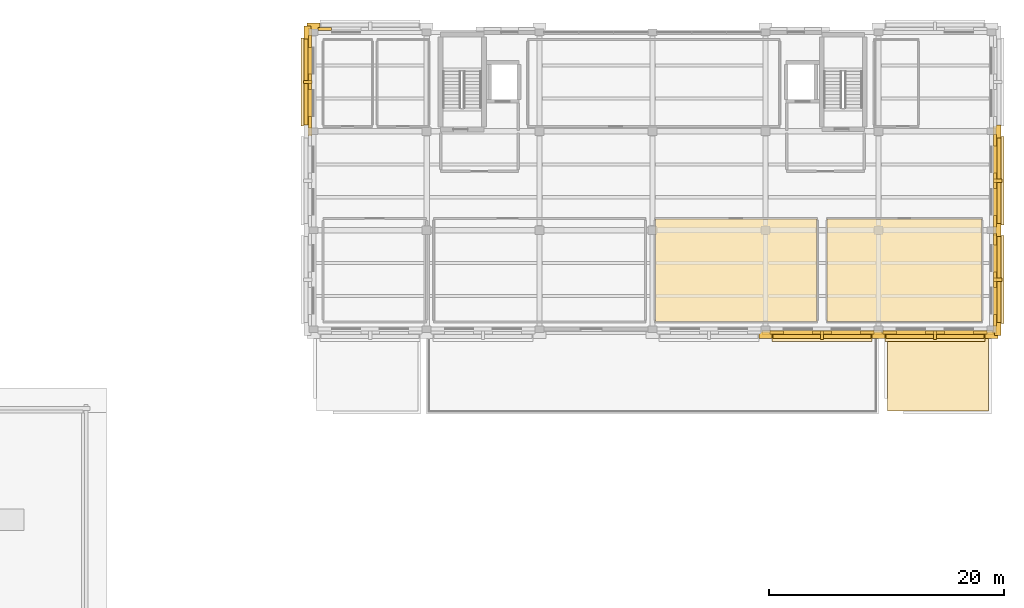
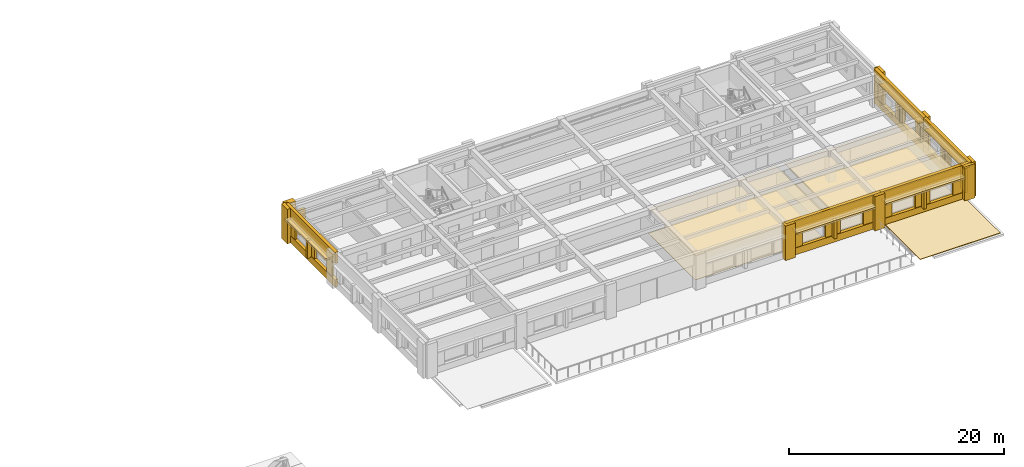
# One storey, part 8 of 10: 49 coverings, 5 shading devices.
"""IFC4 building model written with IfcOpenShell, lengths in metres."""

from ifc_helpers import new_model, si_unit, direction, frame, origin, origin_2d, place, context, subcontext, project, spatial, polyline, rectangle, outline, extrude, material, layer, layer_set, type_object, element, save


model = new_model("IFC4")

# Units and contexts
model_context = context("Model", 3, precision=1e-05, world=origin(), true_north=direction((0.0, 1.0)))
body_context = subcontext(model_context, "Body", "Model", "MODEL_VIEW")
ifc_project = project(units=[si_unit("LENGTHUNIT", "METRE"), si_unit("AREAUNIT", "SQUARE_METRE"), si_unit("VOLUMEUNIT", "CUBIC_METRE"), si_unit("PLANEANGLEUNIT", "RADIAN"), si_unit("MASSUNIT", "GRAM", prefix="KILO")], contexts=[model_context])

# Site, building, storey
site_placement = place(None, origin())
site = spatial("IfcSite", under=ifc_project, at=site_placement, CompositionType="ELEMENT")
building_placement = place(site_placement, origin())
building = spatial("IfcBuilding", under=site, at=building_placement, Name="Bempovik Park Faculty of Sciences", CompositionType="ELEMENT")
storey_placement = place(building_placement, frame((0.0, 0.0, 26.699951171875)))
storey = spatial("IfcBuildingStorey", under=building, at=storey_placement, Name="L06", CompositionType="ELEMENT", Elevation=26.699951171875)

# Coverings
ifc_material_1 = material(Name="Acoustic mineral ceiling tile")
ifc_layer_1 = layer(ifc_material_1, 0.0400390625)
ifc_layer_set_1 = layer_set([ifc_layer_1], Name="Acoustic mineral ceiling tile")
covering_type_1 = type_object("IfcCoveringType", Name="CE-01 Acoustic Ceiling 40mm", PredefinedType="CEILING", material=ifc_layer_set_1)
covering_1_placement = place(storey_placement, frame((0.0, 0.0, 2.81005859375)))
element("IfcCovering", 1, at=covering_1_placement, inside=storey, type_object=covering_type_1, Name="L06 Graduate Physics Seminar Room Acoustic Ceiling", PredefinedType="CEILING", context=body_context, shape_type="SweptSolid", body=[
    extrude(outline(polyline([(89.030029296875, 94.830078125), (102.77001953125, 94.830078125), (102.77001953125, 103.570068359375), (89.030029296875, 103.570068359375), (89.030029296875, 94.830078125)])), origin(), (0.0, 0.0, 1.0), 0.0400390625),
])
covering_2_placement = place(storey_placement, frame((0.0, 0.0, 2.81005859375)))
element("IfcCovering", 2, at=covering_2_placement, inside=storey, type_object=covering_type_1, Name="L06 Senior Research Fellow Offices Acoustic Ceiling", PredefinedType="CEILING", context=body_context, shape_type="SweptSolid", body=[
    extrude(outline(polyline([(103.6298828125, 94.830078125), (116.77001953125, 94.830078125), (116.77001953125, 103.570068359375), (103.6298828125, 103.570068359375), (103.6298828125, 94.830078125)])), origin(), (0.0, 0.0, 1.0), 0.0400390625),
])
ifc_material_2 = material(Name="Precast concrete C40/50", Category="concrete")
ifc_layer_2 = layer(ifc_material_2, 0.179931640625)
ifc_layer_set_2 = layer_set([ifc_layer_2], Name="Precast concrete C40/50")
covering_type_2 = type_object("IfcCoveringType", Name="CL-02 Classical Cornice Band 180mm", PredefinedType="CLADDING", material=ifc_layer_set_2)
for number, where, z_axis, x_axis, name in (
    (3, (118.199951171875, 98.39990234375, 2.66015625), (0.0, 0.0, 1.0), (1.0, 0.0, 0.0), "L06 Classical Stone Solar Window Hood EW-L06-10347"),
    (4, (118.199951171875, 106.800048828125, 2.66015625), (0.0, 0.0, 1.0), (1.0, 0.0, 0.0), "L06 Classical Stone Solar Window Hood EW-L06-10360"),
    (5, (59.39990234375, 115.199951171875, 2.66015625), (0.0, 0.0, 1.0), (1.0, 0.0, 0.0), "L06 Classical Stone Solar Window Hood EW-L06-10479"),
):
    element("IfcCovering", number, at=place(storey_placement, frame(where, z_axis=z_axis, x_axis=x_axis)), inside=storey, type_object=covering_type_2, Name=name, PredefinedType="CLADDING", context=body_context, shape_type="SweptSolid", body=[
        extrude(rectangle(XDim=0.919921875, YDim=7.49609375, at=origin_2d()), origin(), (0.0, 0.0, 1.0), 0.219970703125),
    ])
for number, where, z_axis, x_axis, name in (
    (6, (103.199951171875, 93.60009765625, 2.66015625), (0.0, 0.0, 1.0), (1.0, 0.0, 0.0), "L06 Classical Stone Solar Window Hood EW-L06-10531"),
    (7, (112.800048828125, 93.60009765625, 2.66015625), (0.0, 0.0, 1.0), (1.0, 0.0, 0.0), "L06 Classical Stone Solar Window Hood EW-L06-10543"),
):
    element("IfcCovering", number, at=place(storey_placement, frame(where, z_axis=z_axis, x_axis=x_axis)), inside=storey, type_object=covering_type_2, Name=name, PredefinedType="CLADDING", context=body_context, shape_type="SweptSolid", body=[
        extrude(rectangle(XDim=8.49609375, YDim=0.919921875, at=origin_2d()), origin(), (0.0, 0.0, 1.0), 0.219970703125),
    ])
ifc_material_3 = material(Name="White reconstituted limestone precast C40/50", Category="masonry")
ifc_layer_3 = layer(ifc_material_3, 0.239990234375)
ifc_layer_set_3 = layer_set([ifc_layer_3], Name="White reconstituted limestone precast C40/50")
covering_type_3 = type_object("IfcCoveringType", Name="CL-03 Classical Fluted Limestone Pilaster 240mm", PredefinedType="CLADDING", material=ifc_layer_set_3)
covering_3_placement = place(storey_placement, frame((117.909912109375, 98.39990234375, 2.6201171875), z_axis=(0.0, 0.0, 1.0), x_axis=(1.0, 0.0, 0.0)))
element("IfcCovering", 8, at=covering_3_placement, inside=storey, type_object=covering_type_3, Name="L06 Classical Limestone Spandrel Entablature EW-L06-10347", PredefinedType="CLADDING", context=body_context, shape_type="SweptSolid", body=[
    extrude(rectangle(XDim=0.340087890625, YDim=9.196044921875, at=origin_2d()), origin(), (0.0, 0.0, 1.0), 1.280029296875),
])
covering_4_placement = place(storey_placement, frame((117.909912109375, 98.39990234375, 0.0), z_axis=(0.0, 0.0, 1.0), x_axis=(1.0, 0.0, 0.0)))
element("IfcCovering", 9, at=covering_4_placement, inside=storey, type_object=covering_type_3, Name="L06 Classical Limestone Sill Dado EW-L06-10347", PredefinedType="CLADDING", context=body_context, shape_type="SweptSolid", body=[
    extrude(rectangle(XDim=0.340087890625, YDim=9.196044921875, at=origin_2d()), origin(), (0.0, 0.0, 1.0), 0.780029296875),
])
for number, where, z_axis, x_axis, name in (
    (10, (118.1298828125, 94.199951171875, 0.0), (0.0, 0.0, 1.0), (1.0, 0.0, 0.0), "L06 Classical Fluted Stone Pilaster PIL-BA-L06-1181-942"),
    (11, (118.1298828125, 102.60009765625, 0.0), (0.0, 0.0, 1.0), (1.0, 0.0, 0.0), "L06 Classical Fluted Stone Pilaster PIL-BA-L06-1181-1026"),
):
    element("IfcCovering", number, at=place(storey_placement, frame(where, z_axis=z_axis, x_axis=x_axis)), inside=storey, type_object=covering_type_3, Name=name, PredefinedType="CLADDING", context=body_context, shape_type="SweptSolid", body=[
        extrude(rectangle(XDim=0.580078125, YDim=1.10009765625, at=origin_2d()), origin(), (0.0, 0.0, 1.0), 3.89990234375),
    ])
covering_5_placement = place(storey_placement, frame((117.89990234375, 94.96630859375, 0.0), z_axis=(0.0, 0.0, 1.0), x_axis=(1.0, 0.0, 0.0)))
element("IfcCovering", 12, at=covering_5_placement, inside=storey, type_object=covering_type_3, Name="L06 White Limestone Wall Cheek EW-L06-10347-0", PredefinedType="CLADDING", context=body_context, shape_type="SweptSolid", body=[
    extrude(rectangle(XDim=0.239990234375, YDim=0.978515625, at=origin_2d()), origin(), (0.0, 0.0, 1.0), 2.780029296875),
])
covering_6_placement = place(storey_placement, frame((117.89990234375, 98.39990234375, 0.0), z_axis=(0.0, 0.0, 1.0), x_axis=(1.0, 0.0, 0.0)))
element("IfcCovering", 13, at=covering_6_placement, inside=storey, type_object=covering_type_3, Name="L06 White Limestone Wall Cheek EW-L06-10347-2", PredefinedType="CLADDING", context=body_context, shape_type="SweptSolid", body=[
    extrude(rectangle(XDim=0.239990234375, YDim=1.3291015625, at=origin_2d()), origin(), (0.0, 0.0, 1.0), 2.780029296875),
])
covering_7_placement = place(storey_placement, frame((117.89990234375, 101.833740234375, 0.0), z_axis=(0.0, 0.0, 1.0), x_axis=(1.0, 0.0, 0.0)))
element("IfcCovering", 14, at=covering_7_placement, inside=storey, type_object=covering_type_3, Name="L06 White Limestone Wall Cheek EW-L06-10347-4", PredefinedType="CLADDING", context=body_context, shape_type="SweptSolid", body=[
    extrude(rectangle(XDim=0.239990234375, YDim=0.978515625, at=origin_2d()), origin(), (0.0, 0.0, 1.0), 2.780029296875),
])
covering_8_placement = place(storey_placement, frame((118.110107421875, 98.39990234375, 0.64990234375), z_axis=(0.0, 0.0, 1.0), x_axis=(1.0, 0.0, 0.0)))
element("IfcCovering", 15, at=covering_8_placement, inside=storey, type_object=covering_type_3, Name="L06 Classical Vertical Stone Shading Fin EW-L06-10347", PredefinedType="CLADDING", context=body_context, shape_type="SweptSolid", body=[
    extrude(rectangle(XDim=0.719970703125, YDim=0.280029296875, at=origin_2d()), origin(), (0.0, 0.0, 1.0), 2.050048828125),
])
covering_9_placement = place(storey_placement, frame((117.909912109375, 106.800048828125, 2.6201171875), z_axis=(0.0, 0.0, 1.0), x_axis=(1.0, 0.0, 0.0)))
element("IfcCovering", 16, at=covering_9_placement, inside=storey, type_object=covering_type_3, Name="L06 Classical Limestone Spandrel Entablature EW-L06-10360", PredefinedType="CLADDING", context=body_context, shape_type="SweptSolid", body=[
    extrude(rectangle(XDim=0.340087890625, YDim=9.196044921875, at=origin_2d()), origin(), (0.0, 0.0, 1.0), 1.280029296875),
])
covering_10_placement = place(storey_placement, frame((117.909912109375, 106.800048828125, 0.0), z_axis=(0.0, 0.0, 1.0), x_axis=(1.0, 0.0, 0.0)))
element("IfcCovering", 17, at=covering_10_placement, inside=storey, type_object=covering_type_3, Name="L06 Classical Limestone Sill Dado EW-L06-10360", PredefinedType="CLADDING", context=body_context, shape_type="SweptSolid", body=[
    extrude(rectangle(XDim=0.340087890625, YDim=9.196044921875, at=origin_2d()), origin(), (0.0, 0.0, 1.0), 0.780029296875),
])
covering_11_placement = place(storey_placement, frame((118.1298828125, 111.0, 0.0), z_axis=(0.0, 0.0, 1.0), x_axis=(1.0, 0.0, 0.0)))
element("IfcCovering", 18, at=covering_11_placement, inside=storey, type_object=covering_type_3, Name="L06 Classical Fluted Stone Pilaster PIL-BA-L06-1181-1110", PredefinedType="CLADDING", context=body_context, shape_type="SweptSolid", body=[
    extrude(rectangle(XDim=0.580078125, YDim=1.10009765625, at=origin_2d()), origin(), (0.0, 0.0, 1.0), 3.89990234375),
])
covering_12_placement = place(storey_placement, frame((117.89990234375, 103.3662109375, 0.0), z_axis=(0.0, 0.0, 1.0), x_axis=(1.0, 0.0, 0.0)))
element("IfcCovering", 19, at=covering_12_placement, inside=storey, type_object=covering_type_3, Name="L06 White Limestone Wall Cheek EW-L06-10360-0", PredefinedType="CLADDING", context=body_context, shape_type="SweptSolid", body=[
    extrude(rectangle(XDim=0.239990234375, YDim=0.978515625, at=origin_2d()), origin(), (0.0, 0.0, 1.0), 2.780029296875),
])
covering_13_placement = place(storey_placement, frame((117.89990234375, 106.800048828125, 0.0), z_axis=(0.0, 0.0, 1.0), x_axis=(1.0, 0.0, 0.0)))
element("IfcCovering", 20, at=covering_13_placement, inside=storey, type_object=covering_type_3, Name="L06 White Limestone Wall Cheek EW-L06-10360-2", PredefinedType="CLADDING", context=body_context, shape_type="SweptSolid", body=[
    extrude(rectangle(XDim=0.239990234375, YDim=1.3291015625, at=origin_2d()), origin(), (0.0, 0.0, 1.0), 2.780029296875),
])
covering_14_placement = place(storey_placement, frame((117.89990234375, 110.23388671875, 0.0), z_axis=(0.0, 0.0, 1.0), x_axis=(1.0, 0.0, 0.0)))
element("IfcCovering", 21, at=covering_14_placement, inside=storey, type_object=covering_type_3, Name="L06 White Limestone Wall Cheek EW-L06-10360-4", PredefinedType="CLADDING", context=body_context, shape_type="SweptSolid", body=[
    extrude(rectangle(XDim=0.239990234375, YDim=0.978515625, at=origin_2d()), origin(), (0.0, 0.0, 1.0), 2.780029296875),
])
covering_15_placement = place(storey_placement, frame((118.110107421875, 106.800048828125, 0.64990234375), z_axis=(0.0, 0.0, 1.0), x_axis=(1.0, 0.0, 0.0)))
element("IfcCovering", 22, at=covering_15_placement, inside=storey, type_object=covering_type_3, Name="L06 Classical Vertical Stone Shading Fin EW-L06-10360", PredefinedType="CLADDING", context=body_context, shape_type="SweptSolid", body=[
    extrude(rectangle(XDim=0.719970703125, YDim=0.280029296875, at=origin_2d()), origin(), (0.0, 0.0, 1.0), 2.050048828125),
])
covering_16_placement = place(storey_placement, frame((60.0, 119.929931640625, 0.0), z_axis=(0.0, 0.0, 1.0), x_axis=(1.0, 0.0, 0.0)))
element("IfcCovering", 23, at=covering_16_placement, inside=storey, type_object=covering_type_3, Name="L06 Classical Fluted Stone Pilaster PIL-BA-L06-600-1199", PredefinedType="CLADDING", context=body_context, shape_type="SweptSolid", body=[
    extrude(rectangle(XDim=1.10009765625, YDim=0.580078125, at=origin_2d()), origin(), (0.0, 0.0, 1.0), 3.89990234375),
])
covering_17_placement = place(storey_placement, frame((60.951171875, 119.699951171875, 0.0), z_axis=(0.0, 0.0, 1.0), x_axis=(1.0, 0.0, 0.0)))
element("IfcCovering", 24, at=covering_17_placement, inside=storey, type_object=covering_type_3, Name="L06 White Limestone Wall Cheek EW-L06-10384-0", PredefinedType="CLADDING", context=body_context, shape_type="SweptSolid", body=[
    extrude(rectangle(XDim=1.1484375, YDim=0.239990234375, at=origin_2d()), origin(), (0.0, 0.0, 1.0), 2.780029296875),
])
covering_18_placement = place(storey_placement, frame((59.68994140625, 115.199951171875, 2.6201171875), z_axis=(0.0, 0.0, 1.0), x_axis=(1.0, 0.0, 0.0)))
element("IfcCovering", 25, at=covering_18_placement, inside=storey, type_object=covering_type_3, Name="L06 Classical Limestone Spandrel Entablature EW-L06-10479", PredefinedType="CLADDING", context=body_context, shape_type="SweptSolid", body=[
    extrude(rectangle(XDim=0.340087890625, YDim=9.196044921875, at=origin_2d()), origin(), (0.0, 0.0, 1.0), 1.280029296875),
])
covering_19_placement = place(storey_placement, frame((59.68994140625, 115.199951171875, 0.0), z_axis=(0.0, 0.0, 1.0), x_axis=(1.0, 0.0, 0.0)))
element("IfcCovering", 26, at=covering_19_placement, inside=storey, type_object=covering_type_3, Name="L06 Classical Limestone Sill Dado EW-L06-10479", PredefinedType="CLADDING", context=body_context, shape_type="SweptSolid", body=[
    extrude(rectangle(XDim=0.340087890625, YDim=9.196044921875, at=origin_2d()), origin(), (0.0, 0.0, 1.0), 0.780029296875),
])
covering_20_placement = place(storey_placement, frame((59.469970703125, 119.39990234375, 0.0), z_axis=(0.0, 0.0, 1.0), x_axis=(1.0, 0.0, 0.0)))
element("IfcCovering", 27, at=covering_20_placement, inside=storey, type_object=covering_type_3, Name="L06 Classical Fluted Stone Pilaster PIL-BA-L06-595-1194", PredefinedType="CLADDING", context=body_context, shape_type="SweptSolid", body=[
    extrude(rectangle(XDim=0.580078125, YDim=1.10009765625, at=origin_2d()), origin(), (0.0, 0.0, 1.0), 3.89990234375),
])
covering_21_placement = place(storey_placement, frame((59.699951171875, 111.76611328125, 0.0), z_axis=(0.0, 0.0, 1.0), x_axis=(1.0, 0.0, 0.0)))
element("IfcCovering", 28, at=covering_21_placement, inside=storey, type_object=covering_type_3, Name="L06 White Limestone Wall Cheek EW-L06-10479-0", PredefinedType="CLADDING", context=body_context, shape_type="SweptSolid", body=[
    extrude(rectangle(XDim=0.239990234375, YDim=0.978515625, at=origin_2d()), origin(), (0.0, 0.0, 1.0), 2.780029296875),
])
covering_22_placement = place(storey_placement, frame((59.699951171875, 115.199951171875, 0.0), z_axis=(0.0, 0.0, 1.0), x_axis=(1.0, 0.0, 0.0)))
element("IfcCovering", 29, at=covering_22_placement, inside=storey, type_object=covering_type_3, Name="L06 White Limestone Wall Cheek EW-L06-10479-2", PredefinedType="CLADDING", context=body_context, shape_type="SweptSolid", body=[
    extrude(rectangle(XDim=0.239990234375, YDim=1.3291015625, at=origin_2d()), origin(), (0.0, 0.0, 1.0), 2.780029296875),
])
covering_23_placement = place(storey_placement, frame((59.699951171875, 118.6337890625, 0.0), z_axis=(0.0, 0.0, 1.0), x_axis=(1.0, 0.0, 0.0)))
element("IfcCovering", 30, at=covering_23_placement, inside=storey, type_object=covering_type_3, Name="L06 White Limestone Wall Cheek EW-L06-10479-4", PredefinedType="CLADDING", context=body_context, shape_type="SweptSolid", body=[
    extrude(rectangle(XDim=0.239990234375, YDim=0.978515625, at=origin_2d()), origin(), (0.0, 0.0, 1.0), 2.780029296875),
])
covering_24_placement = place(storey_placement, frame((59.489990234375, 115.199951171875, 0.64990234375), z_axis=(0.0, 0.0, 1.0), x_axis=(1.0, 0.0, 0.0)))
element("IfcCovering", 31, at=covering_24_placement, inside=storey, type_object=covering_type_3, Name="L06 Classical Vertical Stone Shading Fin EW-L06-10479", PredefinedType="CLADDING", context=body_context, shape_type="SweptSolid", body=[
    extrude(rectangle(XDim=0.719970703125, YDim=0.280029296875, at=origin_2d()), origin(), (0.0, 0.0, 1.0), 2.050048828125),
])
covering_25_placement = place(storey_placement, frame((98.39990234375, 93.669921875, 0.0), z_axis=(0.0, 0.0, 1.0), x_axis=(1.0, 0.0, 0.0)))
element("IfcCovering", 32, at=covering_25_placement, inside=storey, type_object=covering_type_3, Name="L06 Classical Fluted Stone Pilaster PIL-BA-L06-984-937", PredefinedType="CLADDING", context=body_context, shape_type="SweptSolid", body=[
    extrude(rectangle(XDim=1.10009765625, YDim=0.580078125, at=origin_2d()), origin(), (0.0, 0.0, 1.0), 3.89990234375),
])
covering_26_placement = place(storey_placement, frame((103.199951171875, 93.889892578125, 2.6201171875), z_axis=(0.0, 0.0, 1.0), x_axis=(1.0, 0.0, 0.0)))
element("IfcCovering", 33, at=covering_26_placement, inside=storey, type_object=covering_type_3, Name="L06 Classical Limestone Spandrel Entablature EW-L06-10531", PredefinedType="CLADDING", context=body_context, shape_type="SweptSolid", body=[
    extrude(rectangle(XDim=10.196044921875, YDim=0.340087890625, at=origin_2d()), origin(), (0.0, 0.0, 1.0), 1.280029296875),
])
covering_27_placement = place(storey_placement, frame((103.199951171875, 93.889892578125, 0.0), z_axis=(0.0, 0.0, 1.0), x_axis=(1.0, 0.0, 0.0)))
element("IfcCovering", 34, at=covering_27_placement, inside=storey, type_object=covering_type_3, Name="L06 Classical Limestone Sill Dado EW-L06-10531", PredefinedType="CLADDING", context=body_context, shape_type="SweptSolid", body=[
    extrude(rectangle(XDim=10.196044921875, YDim=0.340087890625, at=origin_2d()), origin(), (0.0, 0.0, 1.0), 0.780029296875),
])
covering_28_placement = place(storey_placement, frame((108.0, 93.669921875, 0.0), z_axis=(0.0, 0.0, 1.0), x_axis=(1.0, 0.0, 0.0)))
element("IfcCovering", 35, at=covering_28_placement, inside=storey, type_object=covering_type_3, Name="L06 Classical Fluted Stone Pilaster PIL-BA-L06-1080-937", PredefinedType="CLADDING", context=body_context, shape_type="SweptSolid", body=[
    extrude(rectangle(XDim=1.10009765625, YDim=0.580078125, at=origin_2d()), origin(), (0.0, 0.0, 1.0), 3.89990234375),
])
covering_29_placement = place(storey_placement, frame((99.351318359375, 93.89990234375, 0.0), z_axis=(0.0, 0.0, 1.0), x_axis=(1.0, 0.0, 0.0)))
element("IfcCovering", 36, at=covering_29_placement, inside=storey, type_object=covering_type_3, Name="L06 White Limestone Wall Cheek EW-L06-10531-0", PredefinedType="CLADDING", context=body_context, shape_type="SweptSolid", body=[
    extrude(rectangle(XDim=1.1484375, YDim=0.239990234375, at=origin_2d()), origin(), (0.0, 0.0, 1.0), 2.780029296875),
])
covering_30_placement = place(storey_placement, frame((103.199951171875, 93.89990234375, 0.0), z_axis=(0.0, 0.0, 1.0), x_axis=(1.0, 0.0, 0.0)))
element("IfcCovering", 37, at=covering_30_placement, inside=storey, type_object=covering_type_3, Name="L06 White Limestone Wall Cheek EW-L06-10531-2", PredefinedType="CLADDING", context=body_context, shape_type="SweptSolid", body=[
    extrude(rectangle(XDim=1.589111328125, YDim=0.239990234375, at=origin_2d()), origin(), (0.0, 0.0, 1.0), 2.780029296875),
])
covering_31_placement = place(storey_placement, frame((107.048828125, 93.89990234375, 0.0), z_axis=(0.0, 0.0, 1.0), x_axis=(1.0, 0.0, 0.0)))
element("IfcCovering", 38, at=covering_31_placement, inside=storey, type_object=covering_type_3, Name="L06 White Limestone Wall Cheek EW-L06-10531-4", PredefinedType="CLADDING", context=body_context, shape_type="SweptSolid", body=[
    extrude(rectangle(XDim=1.1484375, YDim=0.239990234375, at=origin_2d()), origin(), (0.0, 0.0, 1.0), 2.780029296875),
])
covering_32_placement = place(storey_placement, frame((103.199951171875, 93.68994140625, 0.64990234375), z_axis=(0.0, 0.0, 1.0), x_axis=(1.0, 0.0, 0.0)))
element("IfcCovering", 39, at=covering_32_placement, inside=storey, type_object=covering_type_3, Name="L06 Classical Vertical Stone Shading Fin EW-L06-10531", PredefinedType="CLADDING", context=body_context, shape_type="SweptSolid", body=[
    extrude(rectangle(XDim=0.280029296875, YDim=0.719970703125, at=origin_2d()), origin(), (0.0, 0.0, 1.0), 2.050048828125),
])
covering_33_placement = place(storey_placement, frame((112.800048828125, 93.889892578125, 2.6201171875), z_axis=(0.0, 0.0, 1.0), x_axis=(1.0, 0.0, 0.0)))
element("IfcCovering", 40, at=covering_33_placement, inside=storey, type_object=covering_type_3, Name="L06 Classical Limestone Spandrel Entablature EW-L06-10543", PredefinedType="CLADDING", context=body_context, shape_type="SweptSolid", body=[
    extrude(rectangle(XDim=10.196044921875, YDim=0.340087890625, at=origin_2d()), origin(), (0.0, 0.0, 1.0), 1.280029296875),
])
covering_34_placement = place(storey_placement, frame((112.800048828125, 93.889892578125, 0.0), z_axis=(0.0, 0.0, 1.0), x_axis=(1.0, 0.0, 0.0)))
element("IfcCovering", 41, at=covering_34_placement, inside=storey, type_object=covering_type_3, Name="L06 Classical Limestone Sill Dado EW-L06-10543", PredefinedType="CLADDING", context=body_context, shape_type="SweptSolid", body=[
    extrude(rectangle(XDim=10.196044921875, YDim=0.340087890625, at=origin_2d()), origin(), (0.0, 0.0, 1.0), 0.780029296875),
])
covering_35_placement = place(storey_placement, frame((117.60009765625, 93.669921875, 0.0), z_axis=(0.0, 0.0, 1.0), x_axis=(1.0, 0.0, 0.0)))
element("IfcCovering", 42, at=covering_35_placement, inside=storey, type_object=covering_type_3, Name="L06 Classical Fluted Stone Pilaster PIL-BA-L06-1176-937", PredefinedType="CLADDING", context=body_context, shape_type="SweptSolid", body=[
    extrude(rectangle(XDim=1.10009765625, YDim=0.580078125, at=origin_2d()), origin(), (0.0, 0.0, 1.0), 3.89990234375),
])
covering_36_placement = place(storey_placement, frame((108.951171875, 93.89990234375, 0.0), z_axis=(0.0, 0.0, 1.0), x_axis=(1.0, 0.0, 0.0)))
element("IfcCovering", 43, at=covering_36_placement, inside=storey, type_object=covering_type_3, Name="L06 White Limestone Wall Cheek EW-L06-10543-0", PredefinedType="CLADDING", context=body_context, shape_type="SweptSolid", body=[
    extrude(rectangle(XDim=1.1484375, YDim=0.239990234375, at=origin_2d()), origin(), (0.0, 0.0, 1.0), 2.780029296875),
])
covering_37_placement = place(storey_placement, frame((112.800048828125, 93.89990234375, 0.0), z_axis=(0.0, 0.0, 1.0), x_axis=(1.0, 0.0, 0.0)))
element("IfcCovering", 44, at=covering_37_placement, inside=storey, type_object=covering_type_3, Name="L06 White Limestone Wall Cheek EW-L06-10543-2", PredefinedType="CLADDING", context=body_context, shape_type="SweptSolid", body=[
    extrude(rectangle(XDim=1.589111328125, YDim=0.239990234375, at=origin_2d()), origin(), (0.0, 0.0, 1.0), 2.780029296875),
])
covering_38_placement = place(storey_placement, frame((116.648681640625, 93.89990234375, 0.0), z_axis=(0.0, 0.0, 1.0), x_axis=(1.0, 0.0, 0.0)))
element("IfcCovering", 45, at=covering_38_placement, inside=storey, type_object=covering_type_3, Name="L06 White Limestone Wall Cheek EW-L06-10543-4", PredefinedType="CLADDING", context=body_context, shape_type="SweptSolid", body=[
    extrude(rectangle(XDim=1.1484375, YDim=0.239990234375, at=origin_2d()), origin(), (0.0, 0.0, 1.0), 2.780029296875),
])
covering_39_placement = place(storey_placement, frame((112.800048828125, 93.68994140625, 0.64990234375), z_axis=(0.0, 0.0, 1.0), x_axis=(1.0, 0.0, 0.0)))
element("IfcCovering", 46, at=covering_39_placement, inside=storey, type_object=covering_type_3, Name="L06 Classical Vertical Stone Shading Fin EW-L06-10543", PredefinedType="CLADDING", context=body_context, shape_type="SweptSolid", body=[
    extrude(rectangle(XDim=0.280029296875, YDim=0.719970703125, at=origin_2d()), origin(), (0.0, 0.0, 1.0), 2.050048828125),
])
ifc_material_4 = material(Name="Polished mineral terrazzo flooring")
ifc_layer_4 = layer(ifc_material_4, 0.030029296875)
ifc_layer_set_4 = layer_set([ifc_layer_4], Name="Polished mineral terrazzo flooring")
covering_type_4 = type_object("IfcCoveringType", Name="FL-01 Terrazzo Flooring 30mm", PredefinedType="FLOORING", material=ifc_layer_set_4)
covering_40_placement = place(storey_placement, origin())
element("IfcCovering", 47, at=covering_40_placement, inside=storey, type_object=covering_type_4, Name="L06 Graduate Physics Seminar Room Terrazzo Flooring", PredefinedType="FLOORING", context=body_context, shape_type="SweptSolid", body=[
    extrude(outline(polyline([(89.030029296875, 94.830078125), (102.77001953125, 94.830078125), (102.77001953125, 103.570068359375), (89.030029296875, 103.570068359375), (89.030029296875, 94.830078125)])), origin(), (0.0, 0.0, 1.0), 0.030029296875),
])
covering_41_placement = place(storey_placement, origin())
element("IfcCovering", 48, at=covering_41_placement, inside=storey, type_object=covering_type_4, Name="L06 Senior Research Fellow Offices Terrazzo Flooring", PredefinedType="FLOORING", context=body_context, shape_type="SweptSolid", body=[
    extrude(outline(polyline([(103.6298828125, 94.830078125), (116.77001953125, 94.830078125), (116.77001953125, 103.570068359375), (103.6298828125, 103.570068359375), (103.6298828125, 94.830078125)])), origin(), (0.0, 0.0, 1.0), 0.030029296875),
])
ifc_material_5 = material(Name="Insulated cool-roof membrane")
ifc_layer_5 = layer(ifc_material_5, 0.06005859375)
ifc_layer_set_5 = layer_set([ifc_layer_5], Name="Insulated cool-roof membrane")
covering_type_5 = type_object("IfcCoveringType", Name="RF-01 Cool Roof Membrane 60mm", PredefinedType="ROOFING", material=ifc_layer_set_5)
covering_42_placement = place(storey_placement, origin())
element("IfcCovering", 49, at=covering_42_placement, inside=storey, type_object=covering_type_5, Name="Cool-Roof Membrane RF-V5-S6E", PredefinedType="ROOFING", context=body_context, shape_type="SweptSolid", body=[
    extrude(outline(polyline([(108.75, 87.25), (117.35009765625, 87.25), (117.35009765625, 93.949951171875), (108.75, 93.949951171875), (108.75, 87.25)])), origin(), (0.0, 0.0, 1.0), 0.06005859375),
])

# Shading devices
ifc_material_6 = material(Name="Anodised architectural bronze")
ifc_layer_6 = layer(ifc_material_6, 0.06005859375)
ifc_layer_set_6 = layer_set([ifc_layer_6], Name="Anodised architectural bronze")
shading_device_type = type_object("IfcShadingDeviceType", Name="SH-01 Bronze Brise-Soleil Fin", PredefinedType="USERDEFINED", material=ifc_layer_set_6)
for number, where, z_axis, x_axis, name in (
    (50, (118.080078125, 98.39990234375, 2.60009765625), (0.0, 0.0, 1.0), (1.0, 0.0, 0.0), "L06 Equatorial Bronze Brise-Soleil EW-L06-10347"),
    (51, (118.080078125, 106.800048828125, 2.60009765625), (0.0, 0.0, 1.0), (1.0, 0.0, 0.0), "L06 Equatorial Bronze Brise-Soleil EW-L06-10360"),
    (52, (59.52001953125, 115.199951171875, 2.60009765625), (0.0, 0.0, 1.0), (1.0, 0.0, 0.0), "L06 Equatorial Bronze Brise-Soleil EW-L06-10479"),
):
    element("IfcShadingDevice", number, at=place(storey_placement, frame(where, z_axis=z_axis, x_axis=x_axis)), inside=storey, type_object=shading_device_type, Name=name, ObjectType="BRISE SOLEIL", PredefinedType="USERDEFINED", context=body_context, shape_type="SweptSolid", body=[
        extrude(rectangle(XDim=0.64990234375, YDim=7.345947265625, at=origin_2d()), origin(), (0.0, 0.0, 1.0), 0.06005859375),
    ])
for number, where, z_axis, x_axis, name in (
    (53, (103.199951171875, 93.719970703125, 2.60009765625), (0.0, 0.0, 1.0), (1.0, 0.0, 0.0), "L06 Equatorial Bronze Brise-Soleil EW-L06-10531"),
    (54, (112.800048828125, 93.719970703125, 2.60009765625), (0.0, 0.0, 1.0), (1.0, 0.0, 0.0), "L06 Equatorial Bronze Brise-Soleil EW-L06-10543"),
):
    element("IfcShadingDevice", number, at=place(storey_placement, frame(where, z_axis=z_axis, x_axis=x_axis)), inside=storey, type_object=shading_device_type, Name=name, ObjectType="BRISE SOLEIL", PredefinedType="USERDEFINED", context=body_context, shape_type="SweptSolid", body=[
        extrude(rectangle(XDim=8.345947265625, YDim=0.64990234375, at=origin_2d()), origin(), (0.0, 0.0, 1.0), 0.06005859375),
    ])

save(model, "model.ifc")
